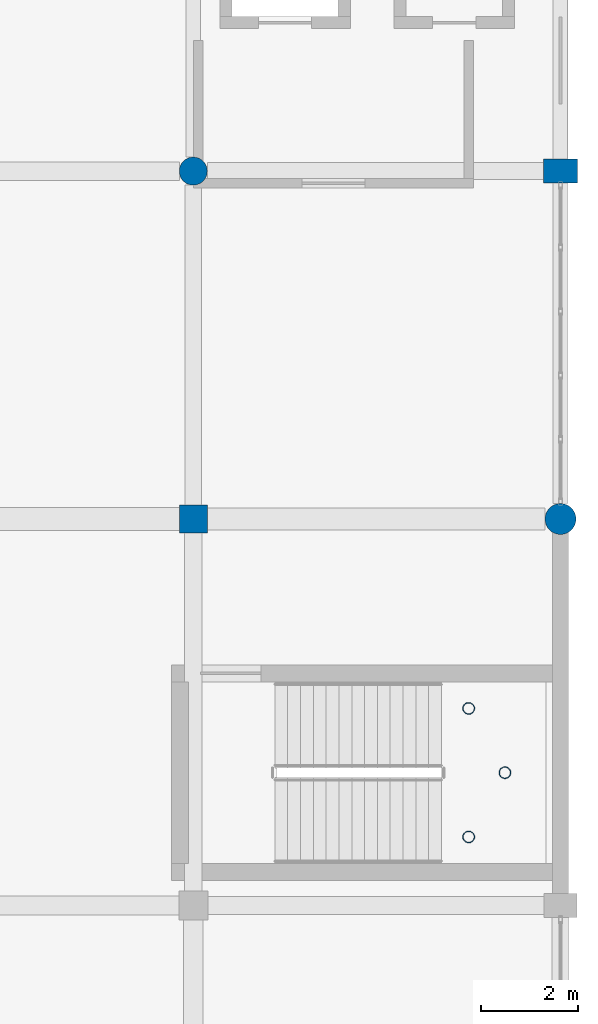
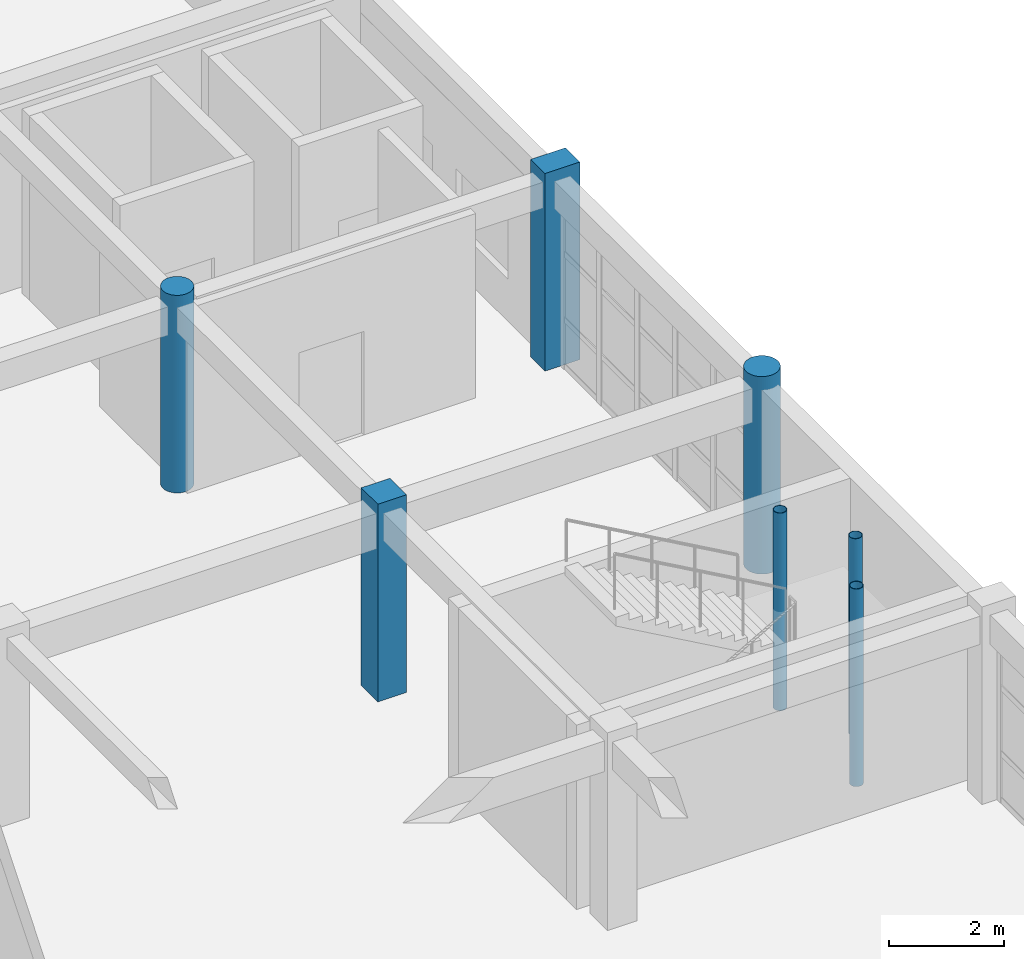
# One storey, part 5 of 53: 7 columns.
"""IFC4 building model written with IfcOpenShell, lengths in metres."""

from ifc_helpers import new_model, si_unit, direction, frame, origin, origin_2d, place, context, subcontext, project, spatial, rectangle, circle, hollow_circle, extrude, material, material_profile, profile_set, type_object, element, save


model = new_model("IFC4")

# Units and contexts
model_context = context("Model", 3, precision=1e-05, world=origin(), true_north=direction((0.0, 1.0)))
body_context = subcontext(model_context, "Body", "Model", "MODEL_VIEW")
ifc_project = project(units=[si_unit("LENGTHUNIT", "METRE"), si_unit("AREAUNIT", "SQUARE_METRE"), si_unit("VOLUMEUNIT", "CUBIC_METRE"), si_unit("PLANEANGLEUNIT", "RADIAN"), si_unit("MASSUNIT", "GRAM", prefix="KILO")], contexts=[model_context])

# Site, building, storey
site_placement = place(None, origin())
site = spatial("IfcSite", under=ifc_project, at=site_placement, CompositionType="ELEMENT")
building_placement = place(site_placement, origin())
building = spatial("IfcBuilding", under=site, at=building_placement, Name="Kharva Crest Polytechnic", CompositionType="ELEMENT")
storey_placement = place(building_placement, frame((0.0, 0.0, 17.39990234375)))
storey = spatial("IfcBuildingStorey", under=building, at=storey_placement, Name="L04", CompositionType="ELEMENT", Elevation=17.39990234375)

# Columns
ifc_material_1 = material(Name="Concrete C40/50", Category="concrete")
ifc_material_profile_1 = material_profile(ifc_material_1, rectangle(XDim=0.699951171875, YDim=0.5, at=origin_2d()), Name="RECT 700 X 500")
ifc_profile_set_1 = profile_set([ifc_material_profile_1], Name="Concrete C40/50")
column_type_1 = type_object("IfcColumnType", Name="COL-EXT-700X500", PredefinedType="COLUMN", material=ifc_profile_set_1)
column_1_placement = place(storey_placement, frame((184.0, 86.0, 0.0), z_axis=(0.0, 0.0, 1.0), x_axis=(1.0, 0.0, 0.0)))
element("IfcColumn", 1, at=column_1_placement, inside=storey, type_object=column_type_1, Name="L04 Column 24/M", PredefinedType="COLUMN", context=body_context, shape_type="SweptSolid", body=[
    extrude(rectangle(XDim=0.699951171875, YDim=0.5, at=origin_2d()), origin(), (0.0, 0.0, 1.0), 4.2001953125),
])
ifc_material_profile_2 = material_profile(ifc_material_1, circle(Radius=0.320068359375, at=origin_2d()), Name="DIA 640")
ifc_profile_set_2 = profile_set([ifc_material_profile_2], Name="Concrete C40/50")
column_type_2 = type_object("IfcColumnType", Name="COL-EXT-DIA640", PredefinedType="COLUMN", material=ifc_profile_set_2)
column_2_placement = place(storey_placement, frame((184.0, 78.800048828125, 0.0), z_axis=(0.0, 0.0, 1.0), x_axis=(1.0, 0.0, 0.0)))
element("IfcColumn", 2, at=column_2_placement, inside=storey, type_object=column_type_2, Name="L04 Column 24/L", PredefinedType="COLUMN", context=body_context, shape_type="SweptSolid", body=[
    extrude(circle(Radius=0.320068359375, at=origin_2d()), origin(), (0.0, 0.0, 1.0), 4.2001953125),
])
ifc_material_profile_3 = material_profile(ifc_material_1, rectangle(XDim=0.580078125, YDim=0.580078125, at=origin_2d()), Name="RECT 580 X 580")
ifc_profile_set_3 = profile_set([ifc_material_profile_3], Name="Concrete C40/50")
column_type_3 = type_object("IfcColumnType", Name="COL-INT-580X580", PredefinedType="COLUMN", material=ifc_profile_set_3)
column_3_placement = place(storey_placement, frame((176.39990234375, 78.800048828125, 0.0), z_axis=(0.0, 0.0, 1.0), x_axis=(1.0, 0.0, 0.0)))
element("IfcColumn", 3, at=column_3_placement, inside=storey, type_object=column_type_3, Name="L04 Column 23/L", PredefinedType="COLUMN", context=body_context, shape_type="SweptSolid", body=[
    extrude(rectangle(XDim=0.580078125, YDim=0.580078125, at=origin_2d()), origin(), (0.0, 0.0, 1.0), 4.2001953125),
])
ifc_material_profile_4 = material_profile(ifc_material_1, circle(Radius=0.2900390625, at=origin_2d()), Name="DIA 580")
ifc_profile_set_4 = profile_set([ifc_material_profile_4], Name="Concrete C40/50")
column_type_4 = type_object("IfcColumnType", Name="COL-INT-DIA580", PredefinedType="COLUMN", material=ifc_profile_set_4)
column_4_placement = place(storey_placement, frame((176.39990234375, 86.0, 0.0), z_axis=(0.0, 0.0, 1.0), x_axis=(1.0, 0.0, 0.0)))
element("IfcColumn", 4, at=column_4_placement, inside=storey, type_object=column_type_4, Name="L04 Column 23/M", PredefinedType="COLUMN", context=body_context, shape_type="SweptSolid", body=[
    extrude(circle(Radius=0.2900390625, at=origin_2d()), origin(), (0.0, 0.0, 1.0), 4.2001953125),
])
ifc_material_2 = material(Name="Steel S355", Category="steel")
ifc_material_profile_5 = material_profile(ifc_material_2, hollow_circle(Radius=0.122314453125, WallThickness=0.010009765625, at=origin_2d()), Name="CHS 244.5X10.0")
ifc_profile_set_5 = profile_set([ifc_material_profile_5], Name="Steel S355")
column_type_5 = type_object("IfcColumnType", Name="COL-STL-CHS244", PredefinedType="COLUMN", material=ifc_profile_set_5)
for number, where, z_axis, x_axis, name in (
    (5, (182.10009765625, 72.219970703125, 0.0), (0.0, 0.0, 1.0), (1.0, 0.0, 0.0), "L04 Stair ST-05 Landing Support Column SW"),
    (6, (182.10009765625, 74.8798828125, 0.0), (0.0, 0.0, 1.0), (1.0, 0.0, 0.0), "L04 Stair ST-05 Landing Support Column NW"),
    (7, (182.85009765625, 73.550048828125, 0.0), (0.0, 0.0, 1.0), (1.0, 0.0, 0.0), "L04 Stair ST-05 Landing Support Column EM"),
):
    element("IfcColumn", number, at=place(storey_placement, frame(where, z_axis=z_axis, x_axis=x_axis)), inside=storey, type_object=column_type_5, Name=name, PredefinedType="COLUMN", context=body_context, shape_type="SweptSolid", body=[
        extrude(hollow_circle(Radius=0.122314453125, WallThickness=0.010009765625, at=origin_2d()), origin(), (0.0, 0.0, 1.0), 4.2001953125),
    ])

save(model, "model.ifc")
